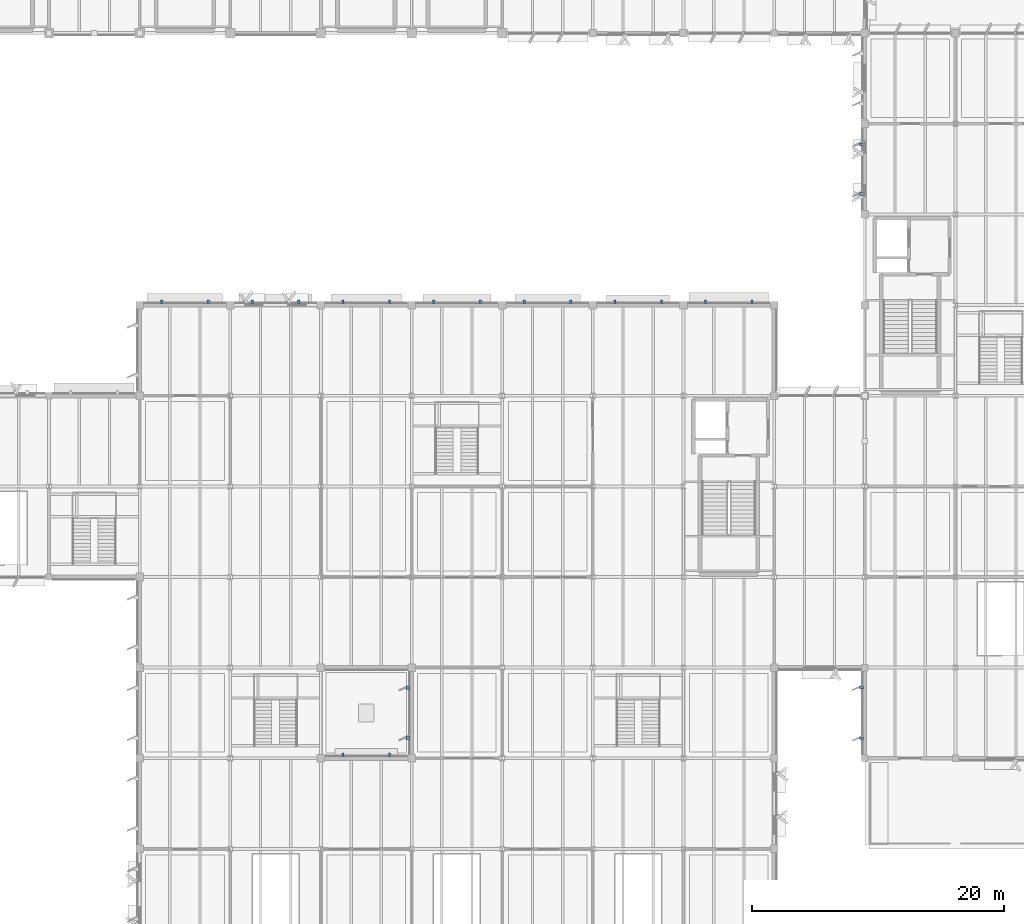
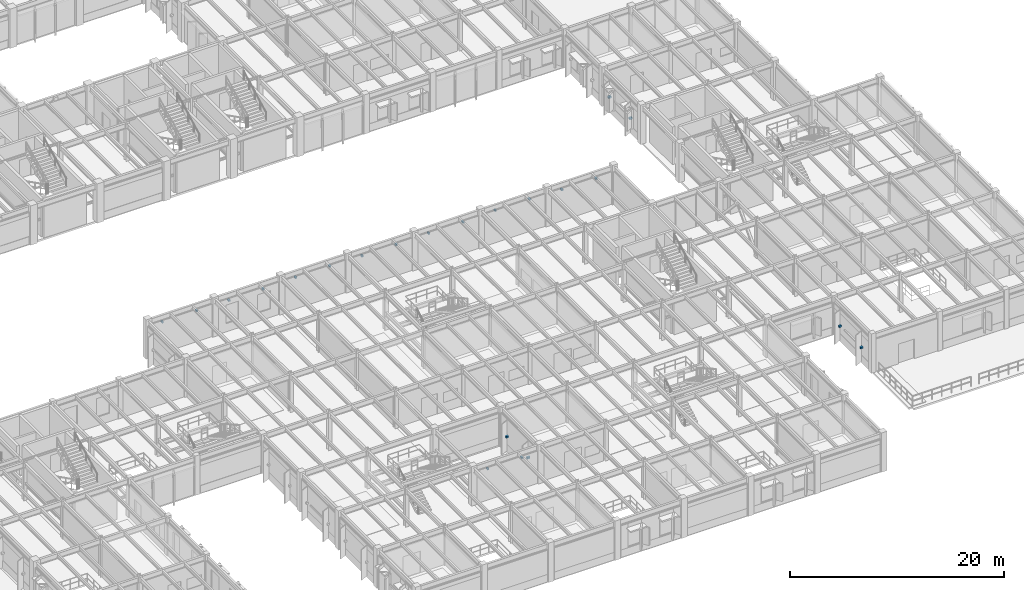
# One storey, part 46 of 92: 22 discrete accessories.
"""IFC4 building model written with IfcOpenShell, lengths in metres."""

from ifc_helpers import new_model, si_unit, direction, frame, origin, origin_2d, place, context, subcontext, project, spatial, rectangle, extrude, material, type_object, element, save


model = new_model("IFC4")

# Units and contexts
model_context = context("Model", 3, precision=1e-05, world=origin(), true_north=direction((0.0, 1.0)))
body_context = subcontext(model_context, "Body", "Model", "MODEL_VIEW")
ifc_project = project(units=[si_unit("LENGTHUNIT", "METRE"), si_unit("AREAUNIT", "SQUARE_METRE"), si_unit("VOLUMEUNIT", "CUBIC_METRE"), si_unit("PLANEANGLEUNIT", "RADIAN"), si_unit("MASSUNIT", "GRAM", prefix="KILO")], contexts=[model_context])

# Site, building, storey
site_placement = place(None, origin())
site = spatial("IfcSite", under=ifc_project, at=site_placement, CompositionType="ELEMENT")
building_placement = place(site_placement, origin())
building = spatial("IfcBuilding", under=site, at=building_placement, Name="Sillqori Civic Hall", CompositionType="ELEMENT")
storey_placement = place(building_placement, frame((0.0, 0.0, 5.39990234375)))
storey = spatial("IfcBuildingStorey", under=building, at=storey_placement, Name="L02", CompositionType="ELEMENT", Elevation=5.39990234375)

# Discrete accessories
ifc_material = material(Name="Steel ASTM A572 Grade 50", Category="steel")
discrete_accessory_type_1 = type_object("IfcDiscreteAccessoryType", Name="BRK-FAC-240", PredefinedType="BRACKET", material=ifc_material)
for number, where, z_axis, x_axis, name in (
    (1, (66.552001953125, 57.8701171875, 3.14990234375), (0.0, 0.0, 1.0), (1.0, 0.0, 0.0), "Sun-hood steel bracket L02-09-07-N.1"),
    (2, (70.248046875, 57.8701171875, 3.14990234375), (0.0, 0.0, 1.0), (1.0, 0.0, 0.0), "Sun-hood steel bracket L02-09-07-N.2"),
    (3, (73.751953125, 57.8701171875, 3.10009765625), (0.0, 0.0, 1.0), (1.0, 0.0, 0.0), "Sun-hood steel bracket L02-10-07-N.1"),
    (4, (77.447998046875, 57.8701171875, 3.10009765625), (0.0, 0.0, 1.0), (1.0, 0.0, 0.0), "Sun-hood steel bracket L02-10-07-N.2"),
    (5, (80.951904296875, 21.8701171875, 3.14990234375), (0.0, 0.0, 1.0), (1.0, 0.0, 0.0), "Sun-hood steel bracket L02-11-02-N.1"),
    (6, (84.64794921875, 21.8701171875, 3.14990234375), (0.0, 0.0, 1.0), (1.0, 0.0, 0.0), "Sun-hood steel bracket L02-11-02-N.2"),
    (7, (80.951904296875, 57.8701171875, 3.2001953125), (0.0, 0.0, 1.0), (1.0, 0.0, 0.0), "Sun-hood steel bracket L02-11-07-N.1"),
    (8, (84.64794921875, 57.8701171875, 3.2001953125), (0.0, 0.0, 1.0), (1.0, 0.0, 0.0), "Sun-hood steel bracket L02-11-07-N.2"),
    (9, (88.152099609375, 57.8701171875, 3.14990234375), (0.0, 0.0, 1.0), (1.0, 0.0, 0.0), "Sun-hood steel bracket L02-12-07-N.1"),
    (10, (91.847900390625, 57.8701171875, 3.14990234375), (0.0, 0.0, 1.0), (1.0, 0.0, 0.0), "Sun-hood steel bracket L02-12-07-N.2"),
    (11, (95.35205078125, 57.8701171875, 3.2001953125), (0.0, 0.0, 1.0), (1.0, 0.0, 0.0), "Sun-hood steel bracket L02-13-07-N.1"),
    (12, (99.048095703125, 57.8701171875, 3.2001953125), (0.0, 0.0, 1.0), (1.0, 0.0, 0.0), "Sun-hood steel bracket L02-13-07-N.2"),
    (13, (102.552001953125, 57.8701171875, 3.30029296875), (0.0, 0.0, 1.0), (1.0, 0.0, 0.0), "Sun-hood steel bracket L02-14-07-N.1"),
    (14, (106.248046875, 57.8701171875, 3.30029296875), (0.0, 0.0, 1.0), (1.0, 0.0, 0.0), "Sun-hood steel bracket L02-14-07-N.2"),
    (15, (109.751953125, 57.8701171875, 3.14990234375), (0.0, 0.0, 1.0), (1.0, 0.0, 0.0), "Sun-hood steel bracket L02-15-07-N.1"),
    (16, (113.447998046875, 57.8701171875, 3.14990234375), (0.0, 0.0, 1.0), (1.0, 0.0, 0.0), "Sun-hood steel bracket L02-15-07-N.2"),
):
    element("IfcDiscreteAccessory", number, at=place(storey_placement, frame(where, z_axis=z_axis, x_axis=x_axis)), inside=storey, type_object=discrete_accessory_type_1, Name=name, PredefinedType="BRACKET", context=body_context, shape_type="SweptSolid", body=[
        extrude(rectangle(XDim=0.179931640625, YDim=0.280029296875, at=origin_2d()), origin(), (0.0, 0.0, 1.0), 0.179931640625),
    ])
discrete_accessory_type_2 = type_object("IfcDiscreteAccessoryType", Name="BRK-FIN-280", PredefinedType="BRACKET", material=ifc_material)
for number, where, z_axis, x_axis, name in (
    (17, (86.1201171875, 23.219970703125, 1.78369140625), (0.0, 0.0, 1.0), (0.0, 1.0, 0.0), "Brise-soleil fin steel bracket L02-12-03-W.1"),
    (18, (86.1201171875, 27.179931640625, 1.78369140625), (0.0, 0.0, 1.0), (0.0, 1.0, 0.0), "Brise-soleil fin steel bracket L02-12-03-W.2"),
    (19, (122.1298828125, 23.18994140625, 1.78369140625), (0.0, 0.0, 1.0), (0.0, 1.0, 0.0), "Brise-soleil fin steel bracket L02-17-03-W.1"),
    (20, (122.1298828125, 27.2099609375, 1.78369140625), (0.0, 0.0, 1.0), (0.0, 1.0, 0.0), "Brise-soleil fin steel bracket L02-17-03-W.2"),
    (21, (122.1298828125, 66.419921875, 1.78369140625), (0.0, 0.0, 1.0), (0.0, 1.0, 0.0), "Brise-soleil fin steel bracket L02-17-09-W.1"),
    (22, (122.1298828125, 70.3798828125, 1.78369140625), (0.0, 0.0, 1.0), (0.0, 1.0, 0.0), "Brise-soleil fin steel bracket L02-17-09-W.2"),
):
    element("IfcDiscreteAccessory", number, at=place(storey_placement, frame(where, z_axis=z_axis, x_axis=x_axis)), inside=storey, type_object=discrete_accessory_type_2, Name=name, PredefinedType="BRACKET", context=body_context, shape_type="SweptSolid", body=[
        extrude(rectangle(XDim=0.219970703125, YDim=0.320068359375, at=origin_2d()), origin(), (0.0, 0.0, 1.0), 0.199951171875),
    ])

save(model, "model.ifc")
